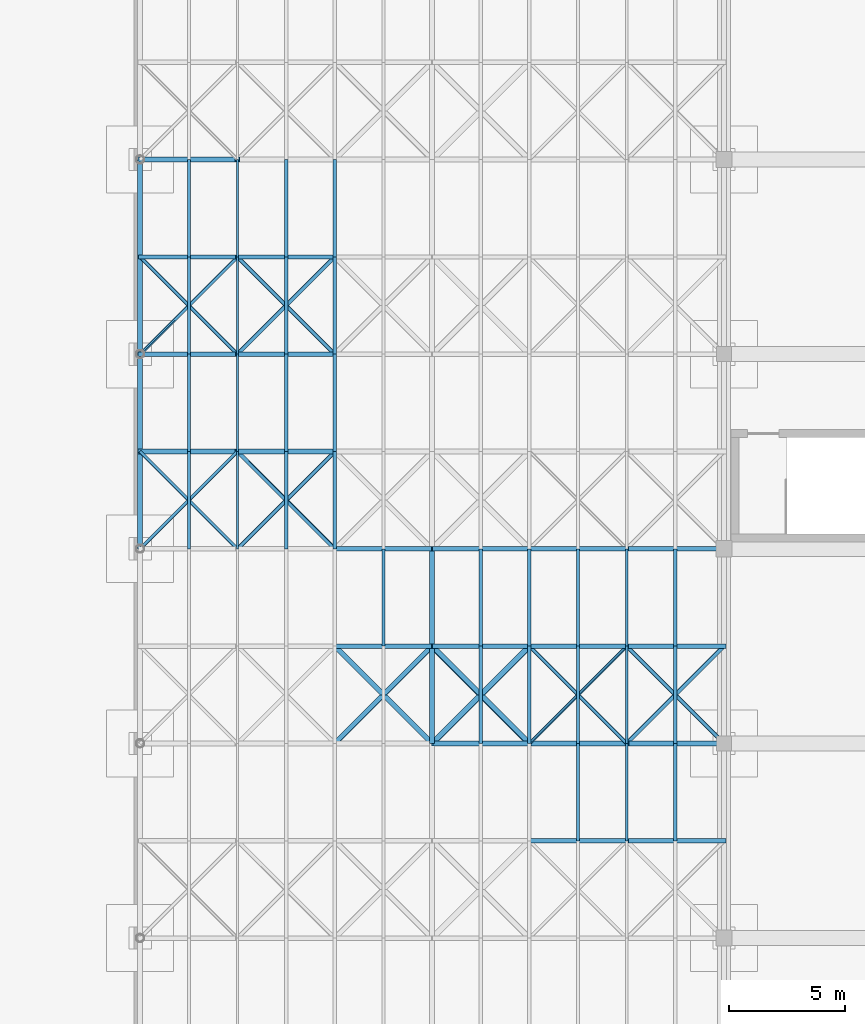
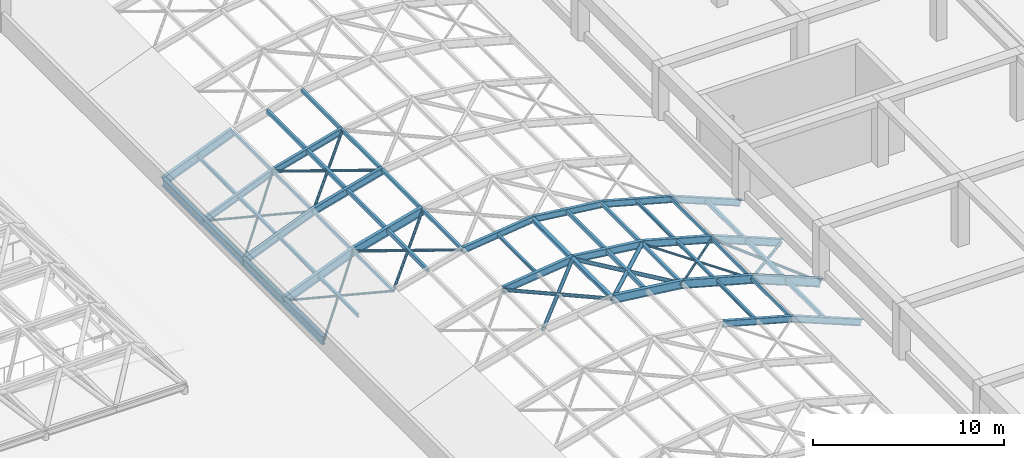
# One storey, part 21 of 85: 68 members, 2 beams.
"""IFC4 building model written with IfcOpenShell, lengths in metres."""

from ifc_helpers import new_model, si_unit, direction, frame, origin, origin_2d, place, context, subcontext, project, spatial, hollow_rectangle, hollow_circle, i_section, extrude, material, material_profile, profile_set, type_object, element, save


model = new_model("IFC4")

# Units and contexts
model_context = context("Model", 3, precision=1e-05, world=origin(), true_north=direction((0.0, 1.0)))
body_context = subcontext(model_context, "Body", "Model", "MODEL_VIEW")
ifc_project = project(units=[si_unit("LENGTHUNIT", "METRE"), si_unit("AREAUNIT", "SQUARE_METRE"), si_unit("VOLUMEUNIT", "CUBIC_METRE"), si_unit("PLANEANGLEUNIT", "RADIAN"), si_unit("MASSUNIT", "GRAM", prefix="KILO")], contexts=[model_context])

# Site, building, storey
site_placement = place(None, origin())
site = spatial("IfcSite", under=ifc_project, at=site_placement, CompositionType="ELEMENT")
building_placement = place(site_placement, origin())
building = spatial("IfcBuilding", under=site, at=building_placement, Name="Almacenes y Pasaje Nevantli", CompositionType="ELEMENT")
storey_placement = place(building_placement, frame((0.0, 0.0, 22.199951171875)))
storey = spatial("IfcBuildingStorey", under=building, at=storey_placement, Name="L05", CompositionType="ELEMENT", Elevation=22.199951171875)

# Beams
ifc_material_1 = material(Name="Steel ASTM A992", Category="steel")
ifc_material_profile_1 = material_profile(ifc_material_1, i_section(OverallWidth=0.208984375, OverallDepth=0.532958984375, WebThickness=0.01025390625, FlangeThickness=0.015625, at=origin_2d()), Name="IR 533x92.5")
ifc_profile_set_1 = profile_set([ifc_material_profile_1], Name="Steel ASTM A992")
beam_type = type_object("IfcBeamType", Name="BM-STL-IR-533x92p5", PredefinedType="BEAM", material=ifc_profile_set_1)
beam_1_placement = place(storey_placement, frame((67.199951171875, 42.0, 0.400146484375), z_axis=(0.0, 1.0, 0.0), x_axis=(-1.0, 0.0, 0.0)))
element("IfcBeam", 1, at=beam_1_placement, inside=storey, type_object=beam_type, Name="L05 Arcade Barrel Vault Eave Steel Girder #1.6", PredefinedType="BEAM", context=body_context, shape_type="SweptSolid", body=[
    extrude(i_section(OverallWidth=0.208984375, OverallDepth=0.532958984375, WebThickness=0.01025390625, FlangeThickness=0.015625, at=origin_2d()), origin(), (0.0, 0.0, 1.0), 8.39990234375),
])
beam_2_placement = place(storey_placement, frame((67.199951171875, 50.39990234375, 0.400146484375), z_axis=(0.0, 1.0, 0.0), x_axis=(-1.0, 0.0, 0.0)))
element("IfcBeam", 2, at=beam_2_placement, inside=storey, type_object=beam_type, Name="L05 Arcade Barrel Vault Eave Steel Girder #1.7", PredefinedType="BEAM", context=body_context, shape_type="SweptSolid", body=[
    extrude(i_section(OverallWidth=0.208984375, OverallDepth=0.532958984375, WebThickness=0.01025390625, FlangeThickness=0.015625, at=origin_2d()), origin(), (0.0, 0.0, 1.0), 8.400146484375),
])

# Members
ifc_material_2 = material(Name="Steel ASTM A992", Category="steel")
ifc_material_profile_2 = material_profile(ifc_material_2, i_section(OverallWidth=0.180908203125, OverallDepth=0.406005859375, WebThickness=0.010986328125, FlangeThickness=0.018310546875, at=origin_2d()), Name="IR 406x85.0")
ifc_profile_set_2 = profile_set([ifc_material_profile_2], Name="Steel ASTM A992")
member_type_1 = type_object("IfcMemberType", Name="MBR-ARCH-IR406x85", PredefinedType="USERDEFINED", material=ifc_profile_set_2)
member_1_placement = place(storey_placement, frame((84.0, 29.39990234375, 3.25), z_axis=(0.964503290046, 0.0, -0.264070830443), x_axis=(0.0, 1.0, 0.0)))
element("IfcMember", 3, at=member_1_placement, inside=storey, type_object=member_type_1, Name="Arcade Barrel Vault Steel Arch Rib 8.5", ObjectType="ARCH RIB", PredefinedType="USERDEFINED", context=body_context, shape_type="SweptSolid", body=[
    extrude(i_section(OverallWidth=0.180908203125, OverallDepth=0.406005859375, WebThickness=0.010986328125, FlangeThickness=0.018310546875, at=origin_2d()), origin(), (0.0, 0.0, 1.0), 4.3544921875),
])
member_2_placement = place(storey_placement, frame((88.199951171875, 29.39990234375, 2.10009765625), z_axis=(0.926949044115, 0.0, -0.375187246072), x_axis=(0.0, 1.0, 0.0)))
element("IfcMember", 4, at=member_2_placement, inside=storey, type_object=member_type_1, Name="Arcade Barrel Vault Steel Arch Rib 8.6", ObjectType="ARCH RIB", PredefinedType="USERDEFINED", context=body_context, shape_type="SweptSolid", body=[
    extrude(i_section(OverallWidth=0.180908203125, OverallDepth=0.406005859375, WebThickness=0.010986328125, FlangeThickness=0.018310546875, at=origin_2d()), origin(), (0.0, 0.0, 1.0), 4.531005859375),
])
for number, where, z_axis, x_axis, name in (
    (5, (75.60009765625, 42.0, 3.25), (0.99298811287, 0.0, 0.118214244908), (0.0, 1.0, 0.0), "Arcade Barrel Vault Steel Arch Rib 11.3"),
    (6, (79.800048828125, 42.0, 3.75), (0.99298811287, 0.0, -0.118214244908), (0.0, 1.0, 0.0), "Arcade Barrel Vault Steel Arch Rib 11.4"),
):
    element("IfcMember", number, at=place(storey_placement, frame(where, z_axis=z_axis, x_axis=x_axis)), inside=storey, type_object=member_type_1, Name=name, ObjectType="ARCH RIB", PredefinedType="USERDEFINED", context=body_context, shape_type="SweptSolid", body=[
        extrude(i_section(OverallWidth=0.180908203125, OverallDepth=0.406005859375, WebThickness=0.010986328125, FlangeThickness=0.018310546875, at=origin_2d()), origin(), (0.0, 0.0, 1.0), 4.2294921875),
    ])
member_3_placement = place(storey_placement, frame((84.0, 42.0, 3.25), z_axis=(0.964503290046, 0.0, -0.264070830443), x_axis=(0.0, 1.0, 0.0)))
element("IfcMember", 7, at=member_3_placement, inside=storey, type_object=member_type_1, Name="Arcade Barrel Vault Steel Arch Rib 11.5", ObjectType="ARCH RIB", PredefinedType="USERDEFINED", context=body_context, shape_type="SweptSolid", body=[
    extrude(i_section(OverallWidth=0.180908203125, OverallDepth=0.406005859375, WebThickness=0.010986328125, FlangeThickness=0.018310546875, at=origin_2d()), origin(), (0.0, 0.0, 1.0), 4.3544921875),
])
for number, where, z_axis, x_axis, name in (
    (8, (88.199951171875, 42.0, 2.10009765625), (0.926949044115, 0.0, -0.375187246072), (0.0, 1.0, 0.0), "Arcade Barrel Vault Steel Arch Rib 11.6"),
    (9, (67.199951171875, 54.60009765625, 0.400146484375), (0.926949044115, 0.0, 0.375187246072), (0.0, 1.0, 0.0), "Arcade Barrel Vault Steel Arch Rib 14.1"),
):
    element("IfcMember", number, at=place(storey_placement, frame(where, z_axis=z_axis, x_axis=x_axis)), inside=storey, type_object=member_type_1, Name=name, ObjectType="ARCH RIB", PredefinedType="USERDEFINED", context=body_context, shape_type="SweptSolid", body=[
        extrude(i_section(OverallWidth=0.180908203125, OverallDepth=0.406005859375, WebThickness=0.010986328125, FlangeThickness=0.018310546875, at=origin_2d()), origin(), (0.0, 0.0, 1.0), 4.531005859375),
    ])
member_4_placement = place(storey_placement, frame((71.39990234375, 54.60009765625, 2.10009765625), z_axis=(0.964507199401, 0.0, 0.264056551336), x_axis=(0.0, 1.0, 0.0)))
element("IfcMember", 10, at=member_4_placement, inside=storey, type_object=member_type_1, Name="Arcade Barrel Vault Steel Arch Rib 14.2", ObjectType="ARCH RIB", PredefinedType="USERDEFINED", context=body_context, shape_type="SweptSolid", body=[
    extrude(i_section(OverallWidth=0.180908203125, OverallDepth=0.406005859375, WebThickness=0.010986328125, FlangeThickness=0.018310546875, at=origin_2d()), origin(), (0.0, 0.0, 1.0), 4.354736328125),
])
ifc_material_3 = material(Name="Steel ASTM A992", Category="steel")
ifc_material_profile_3 = material_profile(ifc_material_3, i_section(OverallWidth=0.193115234375, OverallDepth=0.4599609375, WebThickness=0.011474609375, FlangeThickness=0.01904296875, at=origin_2d()), Name="IR 457x96.7")
ifc_profile_set_3 = profile_set([ifc_material_profile_3], Name="Steel ASTM A992")
member_type_2 = type_object("IfcMemberType", Name="MBR-ARCH-IR457x96", PredefinedType="USERDEFINED", material=ifc_profile_set_3)
for number, where, z_axis, x_axis, name in (
    (11, (75.60009765625, 37.800048828125, 3.25), (0.99298811287, 0.0, 0.118214244908), (0.0, 1.0, 0.0), "Arcade Barrel Vault Steel Arch Rib 10.3"),
    (12, (79.800048828125, 37.800048828125, 3.75), (0.99298811287, 0.0, -0.118214244908), (0.0, 1.0, 0.0), "Arcade Barrel Vault Steel Arch Rib 10.4"),
):
    element("IfcMember", number, at=place(storey_placement, frame(where, z_axis=z_axis, x_axis=x_axis)), inside=storey, type_object=member_type_2, Name=name, ObjectType="ARCH RIB", PredefinedType="USERDEFINED", context=body_context, shape_type="SweptSolid", body=[
        extrude(i_section(OverallWidth=0.193115234375, OverallDepth=0.4599609375, WebThickness=0.011474609375, FlangeThickness=0.01904296875, at=origin_2d()), origin(), (0.0, 0.0, 1.0), 4.2294921875),
    ])
member_5_placement = place(storey_placement, frame((84.0, 37.800048828125, 3.25), z_axis=(0.964503290046, 0.0, -0.264070830443), x_axis=(0.0, 1.0, 0.0)))
element("IfcMember", 13, at=member_5_placement, inside=storey, type_object=member_type_2, Name="Arcade Barrel Vault Steel Arch Rib 10.5", ObjectType="ARCH RIB", PredefinedType="USERDEFINED", context=body_context, shape_type="SweptSolid", body=[
    extrude(i_section(OverallWidth=0.193115234375, OverallDepth=0.4599609375, WebThickness=0.011474609375, FlangeThickness=0.01904296875, at=origin_2d()), origin(), (0.0, 0.0, 1.0), 4.3544921875),
])
for number, where, z_axis, x_axis, name in (
    (14, (88.199951171875, 37.800048828125, 2.10009765625), (0.926949044115, 0.0, -0.375187246072), (0.0, 1.0, 0.0), "Arcade Barrel Vault Steel Arch Rib 10.6"),
    (15, (67.199951171875, 50.39990234375, 0.400146484375), (0.926949044115, 0.0, 0.375187246072), (0.0, 1.0, 0.0), "Arcade Barrel Vault Steel Arch Rib 13.1"),
):
    element("IfcMember", number, at=place(storey_placement, frame(where, z_axis=z_axis, x_axis=x_axis)), inside=storey, type_object=member_type_2, Name=name, ObjectType="ARCH RIB", PredefinedType="USERDEFINED", context=body_context, shape_type="SweptSolid", body=[
        extrude(i_section(OverallWidth=0.193115234375, OverallDepth=0.4599609375, WebThickness=0.011474609375, FlangeThickness=0.01904296875, at=origin_2d()), origin(), (0.0, 0.0, 1.0), 4.531005859375),
    ])
member_6_placement = place(storey_placement, frame((71.39990234375, 50.39990234375, 2.10009765625), z_axis=(0.964507199401, 0.0, 0.264056551336), x_axis=(0.0, 1.0, 0.0)))
element("IfcMember", 16, at=member_6_placement, inside=storey, type_object=member_type_2, Name="Arcade Barrel Vault Steel Arch Rib 13.2", ObjectType="ARCH RIB", PredefinedType="USERDEFINED", context=body_context, shape_type="SweptSolid", body=[
    extrude(i_section(OverallWidth=0.193115234375, OverallDepth=0.4599609375, WebThickness=0.011474609375, FlangeThickness=0.01904296875, at=origin_2d()), origin(), (0.0, 0.0, 1.0), 4.354736328125),
])
ifc_material_4 = material(Name="Steel ASTM A992", Category="steel")
ifc_material_profile_4 = material_profile(ifc_material_4, i_section(OverallWidth=0.208984375, OverallDepth=0.532958984375, WebThickness=0.01025390625, FlangeThickness=0.015625, at=origin_2d()), Name="IR 533x92.5")
ifc_profile_set_4 = profile_set([ifc_material_profile_4], Name="Steel ASTM A992")
member_type_3 = type_object("IfcMemberType", Name="MBR-ARCH-IR533x92", PredefinedType="USERDEFINED", material=ifc_profile_set_4)
member_7_placement = place(storey_placement, frame((79.800048828125, 33.60009765625, 3.75), z_axis=(0.99298811287, 0.0, -0.118214244908), x_axis=(0.0, 1.0, 0.0)))
element("IfcMember", 17, at=member_7_placement, inside=storey, type_object=member_type_3, Name="Arcade Barrel Vault Steel Arch Rib 9.4", ObjectType="ARCH RIB", PredefinedType="USERDEFINED", context=body_context, shape_type="SweptSolid", body=[
    extrude(i_section(OverallWidth=0.208984375, OverallDepth=0.532958984375, WebThickness=0.01025390625, FlangeThickness=0.015625, at=origin_2d()), origin(), (0.0, 0.0, 1.0), 4.2294921875),
])
member_8_placement = place(storey_placement, frame((84.0, 33.60009765625, 3.25), z_axis=(0.964503290046, 0.0, -0.264070830443), x_axis=(0.0, 1.0, 0.0)))
element("IfcMember", 18, at=member_8_placement, inside=storey, type_object=member_type_3, Name="Arcade Barrel Vault Steel Arch Rib 9.5", ObjectType="ARCH RIB", PredefinedType="USERDEFINED", context=body_context, shape_type="SweptSolid", body=[
    extrude(i_section(OverallWidth=0.208984375, OverallDepth=0.532958984375, WebThickness=0.01025390625, FlangeThickness=0.015625, at=origin_2d()), origin(), (0.0, 0.0, 1.0), 4.3544921875),
])
for number, where, z_axis, x_axis, name in (
    (19, (88.199951171875, 33.60009765625, 2.10009765625), (0.926949044115, 0.0, -0.375187246072), (0.0, 1.0, 0.0), "Arcade Barrel Vault Steel Arch Rib 9.6"),
    (20, (67.199951171875, 46.199951171875, 0.400146484375), (0.926949044115, 0.0, 0.375187246072), (0.0, 1.0, 0.0), "Arcade Barrel Vault Steel Arch Rib 12.1"),
):
    element("IfcMember", number, at=place(storey_placement, frame(where, z_axis=z_axis, x_axis=x_axis)), inside=storey, type_object=member_type_3, Name=name, ObjectType="ARCH RIB", PredefinedType="USERDEFINED", context=body_context, shape_type="SweptSolid", body=[
        extrude(i_section(OverallWidth=0.208984375, OverallDepth=0.532958984375, WebThickness=0.01025390625, FlangeThickness=0.015625, at=origin_2d()), origin(), (0.0, 0.0, 1.0), 4.531005859375),
    ])
member_9_placement = place(storey_placement, frame((71.39990234375, 46.199951171875, 2.10009765625), z_axis=(0.964507199401, 0.0, 0.264056551336), x_axis=(0.0, 1.0, 0.0)))
element("IfcMember", 21, at=member_9_placement, inside=storey, type_object=member_type_3, Name="Arcade Barrel Vault Steel Arch Rib 12.2", ObjectType="ARCH RIB", PredefinedType="USERDEFINED", context=body_context, shape_type="SweptSolid", body=[
    extrude(i_section(OverallWidth=0.208984375, OverallDepth=0.532958984375, WebThickness=0.01025390625, FlangeThickness=0.015625, at=origin_2d()), origin(), (0.0, 0.0, 1.0), 4.354736328125),
])
member_10_placement = place(storey_placement, frame((67.199951171875, 58.800048828125, 0.400146484375), z_axis=(0.926949044115, 0.0, 0.375187246072), x_axis=(0.0, 1.0, 0.0)))
element("IfcMember", 22, at=member_10_placement, inside=storey, type_object=member_type_3, Name="Arcade Barrel Vault Steel Arch Rib 15.1", ObjectType="ARCH RIB", PredefinedType="USERDEFINED", context=body_context, shape_type="SweptSolid", body=[
    extrude(i_section(OverallWidth=0.208984375, OverallDepth=0.532958984375, WebThickness=0.01025390625, FlangeThickness=0.015625, at=origin_2d()), origin(), (0.0, 0.0, 1.0), 4.531005859375),
])
ifc_material_5 = material(Name="Steel ASTM A500 Grade C", Category="steel")
ifc_material_profile_5 = material_profile(ifc_material_5, hollow_circle(Radius=0.070556640625, WallThickness=0.006591796875, at=origin_2d()), Name="OC 141x6.6")
ifc_profile_set_5 = profile_set([ifc_material_profile_5], Name="Steel ASTM A500 Grade C")
member_type_4 = type_object("IfcMemberType", Name="MBR-BRC-OC141", PredefinedType="BRACE", material=ifc_profile_set_5)
for number, where, z_axis, x_axis, name in (
    (23, (84.0, 33.60009765625, 3.25), (0.694216714393, 0.694216714393, -0.190069216113), (-0.707106781187, 0.707106781187, 0.0), "Arcade Barrel Vault Wind Brace 9.5A"),
    (24, (88.199951171875, 33.60009765625, 2.10009765625), (-0.694216714393, 0.694216714393, 0.190069216113), (-0.707106781187, -0.707106781187, 0.0), "Arcade Barrel Vault Wind Brace 9.5B"),
):
    element("IfcMember", number, at=place(storey_placement, frame(where, z_axis=z_axis, x_axis=x_axis)), inside=storey, type_object=member_type_4, Name=name, PredefinedType="BRACE", context=body_context, shape_type="SweptSolid", body=[
        extrude(hollow_circle(Radius=0.070556640625, WallThickness=0.006591796875, at=origin_2d()), origin(), (0.0, 0.0, 1.0), 6.0498046875),
    ])
for number, where, z_axis, x_axis, name in (
    (25, (67.199951171875, 42.0, 0.400146484375), (0.679811915702, 0.679811915702, 0.275157261468), (-0.707106781187, 0.707106781187, 0.0), "Arcade Barrel Vault Wind Brace 11.1A"),
    (26, (71.39990234375, 42.0, 2.10009765625), (-0.679811915702, 0.679811915702, -0.275157261468), (-0.707106781187, -0.707106781187, 0.0), "Arcade Barrel Vault Wind Brace 11.1B"),
    (27, (67.199951171875, 50.39990234375, 0.400146484375), (0.679793653327, 0.679833169322, 0.275149869681), (-0.707127332136, 0.70708622964, 0.0), "Arcade Barrel Vault Wind Brace 13.1A"),
    (28, (71.39990234375, 50.39990234375, 2.10009765625), (-0.679793653327, 0.679833169322, -0.275149869681), (-0.707127332136, -0.70708622964, 0.0), "Arcade Barrel Vault Wind Brace 13.1B"),
):
    element("IfcMember", number, at=place(storey_placement, frame(where, z_axis=z_axis, x_axis=x_axis)), inside=storey, type_object=member_type_4, Name=name, PredefinedType="BRACE", context=body_context, shape_type="SweptSolid", body=[
        extrude(hollow_circle(Radius=0.070556640625, WallThickness=0.006591796875, at=origin_2d()), origin(), (0.0, 0.0, 1.0), 6.17822265625),
    ])
ifc_material_6 = material(Name="Steel ASTM A500 Grade C", Category="steel")
ifc_material_profile_6 = material_profile(ifc_material_6, hollow_circle(Radius=0.084228515625, WallThickness=0.007080078125, at=origin_2d()), Name="OC 168x7.1")
ifc_profile_set_6 = profile_set([ifc_material_profile_6], Name="Steel ASTM A500 Grade C")
member_type_5 = type_object("IfcMemberType", Name="MBR-BRC-OC168", PredefinedType="BRACE", material=ifc_profile_set_6)
for number, where, z_axis, x_axis, name in (
    (29, (88.199951171875, 33.60009765625, 2.10009765625), (0.679811915702, 0.679811915702, -0.275157261468), (-0.707106781187, 0.707106781187, 0.0), "Arcade Barrel Vault Wind Brace 9.6A"),
    (30, (92.39990234375, 33.60009765625, 0.400146484375), (-0.679811915702, 0.679811915702, 0.275157261468), (-0.707106781187, -0.707106781187, 0.0), "Arcade Barrel Vault Wind Brace 9.6B"),
):
    element("IfcMember", number, at=place(storey_placement, frame(where, z_axis=z_axis, x_axis=x_axis)), inside=storey, type_object=member_type_5, Name=name, PredefinedType="BRACE", context=body_context, shape_type="SweptSolid", body=[
        extrude(hollow_circle(Radius=0.084228515625, WallThickness=0.007080078125, at=origin_2d()), origin(), (0.0, 0.0, 1.0), 6.17822265625),
    ])
for number, where, z_axis, x_axis, name in (
    (31, (71.39990234375, 42.0, 2.10009765625), (0.694237619642, 0.694197266374, 0.19006389145), (-0.70708622964, 0.707127332136, 0.0), "Arcade Barrel Vault Wind Brace 11.2A"),
    (32, (75.60009765625, 42.0, 3.25), (-0.694237619642, 0.694197266374, -0.19006389145), (-0.70708622964, -0.707127332136, 0.0), "Arcade Barrel Vault Wind Brace 11.2B"),
):
    element("IfcMember", number, at=place(storey_placement, frame(where, z_axis=z_axis, x_axis=x_axis)), inside=storey, type_object=member_type_5, Name=name, PredefinedType="BRACE", context=body_context, shape_type="SweptSolid", body=[
        extrude(hollow_circle(Radius=0.084228515625, WallThickness=0.007080078125, at=origin_2d()), origin(), (0.0, 0.0, 1.0), 6.050048828125),
    ])
for number, where, z_axis, x_axis, name in (
    (33, (71.39990234375, 50.39990234375, 2.10009765625), (0.694218172126, 0.694218172126, 0.190058567235), (-0.707106781187, 0.707106781187, 0.0), "Arcade Barrel Vault Wind Brace 13.2A"),
    (34, (75.60009765625, 50.39990234375, 3.25), (-0.694218172126, 0.694218172126, -0.190058567235), (-0.707106781187, -0.707106781187, 0.0), "Arcade Barrel Vault Wind Brace 13.2B"),
):
    element("IfcMember", number, at=place(storey_placement, frame(where, z_axis=z_axis, x_axis=x_axis)), inside=storey, type_object=member_type_5, Name=name, PredefinedType="BRACE", context=body_context, shape_type="SweptSolid", body=[
        extrude(hollow_circle(Radius=0.084228515625, WallThickness=0.007080078125, at=origin_2d()), origin(), (0.0, 0.0, 1.0), 6.05029296875),
    ])
ifc_material_7 = material(Name="Steel ASTM A500 Grade C", Category="steel")
ifc_material_profile_7 = material_profile(ifc_material_7, hollow_circle(Radius=0.109619140625, WallThickness=0.00830078125, at=origin_2d()), Name="OC 219x8.2")
ifc_profile_set_7 = profile_set([ifc_material_profile_7], Name="Steel ASTM A500 Grade C")
member_type_6 = type_object("IfcMemberType", Name="MBR-BRC-OC219", PredefinedType="BRACE", material=ifc_profile_set_7)
for number, where, z_axis, x_axis, name in (
    (35, (75.60009765625, 33.60009765625, 3.25), (0.70461462169, 0.70461462169, 0.083883668268), (-0.707106781187, 0.707106781187, 0.0), "Arcade Barrel Vault Wind Brace 9.3A"),
    (36, (79.800048828125, 33.60009765625, 3.75), (-0.70461462169, 0.70461462169, -0.083883668268), (-0.707106781187, -0.707106781187, 0.0), "Arcade Barrel Vault Wind Brace 9.3B"),
):
    element("IfcMember", number, at=place(storey_placement, frame(where, z_axis=z_axis, x_axis=x_axis)), inside=storey, type_object=member_type_6, Name=name, PredefinedType="BRACE", context=body_context, shape_type="SweptSolid", body=[
        extrude(hollow_circle(Radius=0.109619140625, WallThickness=0.00830078125, at=origin_2d()), origin(), (0.0, 0.0, 1.0), 5.960693359375),
    ])
ifc_material_8 = material(Name="Steel ASTM A500 Grade C", Category="steel")
ifc_material_profile_8 = material_profile(ifc_material_8, hollow_circle(Radius=0.122314453125, WallThickness=0.0087890625, at=origin_2d()), Name="OC 244x8.9")
ifc_profile_set_8 = profile_set([ifc_material_profile_8], Name="Steel ASTM A500 Grade C")
member_type_7 = type_object("IfcMemberType", Name="MBR-BRC-OC244", PredefinedType="BRACE", material=ifc_profile_set_8)
for number, where, z_axis, x_axis, name in (
    (37, (79.800048828125, 33.60009765625, 3.75), (0.70461462169, 0.70461462169, -0.083883668268), (-0.707106781187, 0.707106781187, 0.0), "Arcade Barrel Vault Wind Brace 9.4A"),
    (38, (84.0, 33.60009765625, 3.25), (-0.70461462169, 0.70461462169, 0.083883668268), (-0.707106781187, -0.707106781187, 0.0), "Arcade Barrel Vault Wind Brace 9.4B"),
):
    element("IfcMember", number, at=place(storey_placement, frame(where, z_axis=z_axis, x_axis=x_axis)), inside=storey, type_object=member_type_7, Name=name, PredefinedType="BRACE", context=body_context, shape_type="SweptSolid", body=[
        extrude(hollow_circle(Radius=0.122314453125, WallThickness=0.0087890625, at=origin_2d()), origin(), (0.0, 0.0, 1.0), 5.960693359375),
    ])
ifc_material_9 = material(Name="Steel ASTM A992", Category="steel")
ifc_material_profile_9 = material_profile(ifc_material_9, i_section(OverallWidth=0.134033203125, OverallDepth=0.2099609375, WebThickness=0.00634765625, FlangeThickness=0.01025390625, at=origin_2d()), Name="IR 203x31.3")
ifc_profile_set_9 = profile_set([ifc_material_profile_9], Name="Steel ASTM A992")
member_type_8 = type_object("IfcMemberType", Name="MBR-PUR-IR203x31", PredefinedType="PURLIN", material=ifc_profile_set_9)
member_11_placement = place(storey_placement, frame((86.10009765625, 29.39990234375, 2.675048828125), z_axis=(0.0, 1.0, 0.0), x_axis=(-1.0, 0.0, 0.0)))
element("IfcMember", 39, at=member_11_placement, inside=storey, type_object=member_type_8, Name="Arcade Barrel Vault Secondary Steel Purlin #87", PredefinedType="PURLIN", context=body_context, shape_type="SweptSolid", body=[
    extrude(i_section(OverallWidth=0.134033203125, OverallDepth=0.2099609375, WebThickness=0.00634765625, FlangeThickness=0.01025390625, at=origin_2d()), origin(), (0.0, 0.0, 1.0), 4.2001953125),
])
for number, where, z_axis, x_axis, name in (
    (40, (86.10009765625, 33.60009765625, 2.675048828125), (0.0, 1.0, 0.0), (-1.0, 0.0, 0.0), "Arcade Barrel Vault Secondary Steel Purlin #98"),
    (41, (77.699951171875, 37.800048828125, 3.5), (0.0, 1.0, 0.0), (-1.0, 0.0, 0.0), "Arcade Barrel Vault Secondary Steel Purlin #107"),
    (42, (86.10009765625, 37.800048828125, 2.675048828125), (0.0, 1.0, 0.0), (-1.0, 0.0, 0.0), "Arcade Barrel Vault Secondary Steel Purlin #109"),
    (43, (69.300048828125, 42.0, 1.25), (0.0, 1.0, 0.0), (-1.0, 0.0, 0.0), "Arcade Barrel Vault Secondary Steel Purlin #116"),
    (44, (69.300048828125, 46.199951171875, 1.25), (0.0, 1.0, 0.0), (-1.0, 0.0, 0.0), "Arcade Barrel Vault Secondary Steel Purlin #127"),
):
    element("IfcMember", number, at=place(storey_placement, frame(where, z_axis=z_axis, x_axis=x_axis)), inside=storey, type_object=member_type_8, Name=name, PredefinedType="PURLIN", context=body_context, shape_type="SweptSolid", body=[
        extrude(i_section(OverallWidth=0.134033203125, OverallDepth=0.2099609375, WebThickness=0.00634765625, FlangeThickness=0.01025390625, at=origin_2d()), origin(), (0.0, 0.0, 1.0), 4.199951171875),
    ])
member_12_placement = place(storey_placement, frame((69.300048828125, 50.39990234375, 1.25), z_axis=(0.0, 1.0, 0.0), x_axis=(-1.0, 0.0, 0.0)))
element("IfcMember", 45, at=member_12_placement, inside=storey, type_object=member_type_8, Name="Arcade Barrel Vault Secondary Steel Purlin #138", PredefinedType="PURLIN", context=body_context, shape_type="SweptSolid", body=[
    extrude(i_section(OverallWidth=0.134033203125, OverallDepth=0.2099609375, WebThickness=0.00634765625, FlangeThickness=0.01025390625, at=origin_2d()), origin(), (0.0, 0.0, 1.0), 4.2001953125),
])
member_13_placement = place(storey_placement, frame((69.300048828125, 54.60009765625, 1.25), z_axis=(0.0, 1.0, 0.0), x_axis=(-1.0, 0.0, 0.0)))
element("IfcMember", 46, at=member_13_placement, inside=storey, type_object=member_type_8, Name="Arcade Barrel Vault Secondary Steel Purlin #149", PredefinedType="PURLIN", context=body_context, shape_type="SweptSolid", body=[
    extrude(i_section(OverallWidth=0.134033203125, OverallDepth=0.2099609375, WebThickness=0.00634765625, FlangeThickness=0.01025390625, at=origin_2d()), origin(), (0.0, 0.0, 1.0), 4.199951171875),
])
ifc_material_10 = material(Name="Steel ASTM A992", Category="steel")
ifc_material_profile_10 = material_profile(ifc_material_10, i_section(OverallWidth=0.202880859375, OverallDepth=0.25390625, WebThickness=0.00732421875, FlangeThickness=0.010986328125, at=origin_2d()), Name="IR 254x49.1")
ifc_profile_set_10 = profile_set([ifc_material_profile_10], Name="Steel ASTM A992")
member_type_9 = type_object("IfcMemberType", Name="MBR-PUR-IR254x49", PredefinedType="PURLIN", material=ifc_profile_set_10)
for number, where, z_axis, x_axis, name in (
    (47, (79.800048828125, 33.60009765625, 3.75), (0.0, 1.0, 0.0), (-1.0, 0.0, 0.0), "Arcade Barrel Vault Steel Purlin #91"),
    (48, (79.800048828125, 37.800048828125, 3.75), (0.0, 1.0, 0.0), (-1.0, 0.0, 0.0), "Arcade Barrel Vault Steel Purlin #102"),
):
    element("IfcMember", number, at=place(storey_placement, frame(where, z_axis=z_axis, x_axis=x_axis)), inside=storey, type_object=member_type_9, Name=name, PredefinedType="PURLIN", context=body_context, shape_type="SweptSolid", body=[
        extrude(i_section(OverallWidth=0.202880859375, OverallDepth=0.25390625, WebThickness=0.00732421875, FlangeThickness=0.010986328125, at=origin_2d()), origin(), (0.0, 0.0, 1.0), 4.199951171875),
    ])
ifc_material_11 = material(Name="Steel ASTM A500 Grade C", Category="steel")
ifc_material_profile_11 = material_profile(ifc_material_11, hollow_rectangle(XDim=0.1015625, YDim=0.203125, WallThickness=0.0078125, at=origin_2d()), Name="OR 203x102x7.9")
ifc_profile_set_11 = profile_set([ifc_material_profile_11], Name="Steel ASTM A500 Grade C")
member_type_10 = type_object("IfcMemberType", Name="MBR-PUR-OR203x102", PredefinedType="PURLIN", material=ifc_profile_set_11)
member_14_placement = place(storey_placement, frame((88.199951171875, 29.39990234375, 2.10009765625), z_axis=(0.0, 1.0, 0.0), x_axis=(-1.0, 0.0, 0.0)))
element("IfcMember", 49, at=member_14_placement, inside=storey, type_object=member_type_10, Name="Arcade Barrel Vault Steel Purlin #82", PredefinedType="PURLIN", context=body_context, shape_type="SweptSolid", body=[
    extrude(hollow_rectangle(XDim=0.1015625, YDim=0.203125, WallThickness=0.0078125, at=origin_2d()), origin(), (0.0, 0.0, 1.0), 4.2001953125),
])
for number, where, z_axis, x_axis, name in (
    (50, (88.199951171875, 33.60009765625, 2.10009765625), (0.0, 1.0, 0.0), (-1.0, 0.0, 0.0), "Arcade Barrel Vault Steel Purlin #93"),
    (51, (88.199951171875, 37.800048828125, 2.10009765625), (0.0, 1.0, 0.0), (-1.0, 0.0, 0.0), "Arcade Barrel Vault Steel Purlin #104"),
    (52, (71.39990234375, 42.0, 2.10009765625), (0.0, 1.0, 0.0), (-1.0, 0.0, 0.0), "Arcade Barrel Vault Steel Purlin #111"),
    (53, (71.39990234375, 46.199951171875, 2.10009765625), (0.0, 1.0, 0.0), (-1.0, 0.0, 0.0), "Arcade Barrel Vault Steel Purlin #122"),
):
    element("IfcMember", number, at=place(storey_placement, frame(where, z_axis=z_axis, x_axis=x_axis)), inside=storey, type_object=member_type_10, Name=name, PredefinedType="PURLIN", context=body_context, shape_type="SweptSolid", body=[
        extrude(hollow_rectangle(XDim=0.1015625, YDim=0.203125, WallThickness=0.0078125, at=origin_2d()), origin(), (0.0, 0.0, 1.0), 4.199951171875),
    ])
member_15_placement = place(storey_placement, frame((71.39990234375, 50.39990234375, 2.10009765625), z_axis=(0.0, 1.0, 0.0), x_axis=(-1.0, 0.0, 0.0)))
element("IfcMember", 54, at=member_15_placement, inside=storey, type_object=member_type_10, Name="Arcade Barrel Vault Steel Purlin #133", PredefinedType="PURLIN", context=body_context, shape_type="SweptSolid", body=[
    extrude(hollow_rectangle(XDim=0.1015625, YDim=0.203125, WallThickness=0.0078125, at=origin_2d()), origin(), (0.0, 0.0, 1.0), 4.2001953125),
])
member_16_placement = place(storey_placement, frame((71.39990234375, 54.60009765625, 2.10009765625), z_axis=(0.0, 1.0, 0.0), x_axis=(-1.0, 0.0, 0.0)))
element("IfcMember", 55, at=member_16_placement, inside=storey, type_object=member_type_10, Name="Arcade Barrel Vault Steel Purlin #144", PredefinedType="PURLIN", context=body_context, shape_type="SweptSolid", body=[
    extrude(hollow_rectangle(XDim=0.1015625, YDim=0.203125, WallThickness=0.0078125, at=origin_2d()), origin(), (0.0, 0.0, 1.0), 4.199951171875),
])
ifc_material_12 = material(Name="Steel ASTM A500 Grade C", Category="steel")
ifc_material_profile_12 = material_profile(ifc_material_12, hollow_rectangle(XDim=0.15234375, YDim=0.203125, WallThickness=0.0078125, at=origin_2d()), Name="OR 203x152x7.9")
ifc_profile_set_12 = profile_set([ifc_material_profile_12], Name="Steel ASTM A500 Grade C")
member_type_11 = type_object("IfcMemberType", Name="MBR-PUR-OR203x152", PredefinedType="PURLIN", material=ifc_profile_set_12)
for number, where, z_axis, x_axis, name in (
    (56, (84.0, 33.60009765625, 3.25), (0.0, 1.0, 0.0), (-1.0, 0.0, 0.0), "Arcade Barrel Vault Steel Purlin #92"),
    (57, (84.0, 37.800048828125, 3.25), (0.0, 1.0, 0.0), (-1.0, 0.0, 0.0), "Arcade Barrel Vault Steel Purlin #103"),
    (58, (75.60009765625, 42.0, 3.25), (0.0, 1.0, 0.0), (-1.0, 0.0, 0.0), "Arcade Barrel Vault Steel Purlin #112"),
    (59, (75.60009765625, 46.199951171875, 3.25), (0.0, 1.0, 0.0), (-1.0, 0.0, 0.0), "Arcade Barrel Vault Steel Purlin #123"),
):
    element("IfcMember", number, at=place(storey_placement, frame(where, z_axis=z_axis, x_axis=x_axis)), inside=storey, type_object=member_type_11, Name=name, PredefinedType="PURLIN", context=body_context, shape_type="SweptSolid", body=[
        extrude(hollow_rectangle(XDim=0.15234375, YDim=0.203125, WallThickness=0.0078125, at=origin_2d()), origin(), (0.0, 0.0, 1.0), 4.199951171875),
    ])
member_17_placement = place(storey_placement, frame((75.60009765625, 50.39990234375, 3.25), z_axis=(0.0, 1.0, 0.0), x_axis=(-1.0, 0.0, 0.0)))
element("IfcMember", 60, at=member_17_placement, inside=storey, type_object=member_type_11, Name="Arcade Barrel Vault Steel Purlin #134", PredefinedType="PURLIN", context=body_context, shape_type="SweptSolid", body=[
    extrude(hollow_rectangle(XDim=0.15234375, YDim=0.203125, WallThickness=0.0078125, at=origin_2d()), origin(), (0.0, 0.0, 1.0), 4.2001953125),
])
member_18_placement = place(storey_placement, frame((75.60009765625, 54.60009765625, 3.25), z_axis=(0.0, 1.0, 0.0), x_axis=(-1.0, 0.0, 0.0)))
element("IfcMember", 61, at=member_18_placement, inside=storey, type_object=member_type_11, Name="Arcade Barrel Vault Steel Purlin #145", PredefinedType="PURLIN", context=body_context, shape_type="SweptSolid", body=[
    extrude(hollow_rectangle(XDim=0.15234375, YDim=0.203125, WallThickness=0.0078125, at=origin_2d()), origin(), (0.0, 0.0, 1.0), 4.199951171875),
])
ifc_material_13 = material(Name="Steel ASTM A500 Grade C", Category="steel")
ifc_material_profile_13 = material_profile(ifc_material_13, hollow_rectangle(XDim=0.15234375, YDim=0.25390625, WallThickness=0.009521484375, at=origin_2d()), Name="OR 254x152x9.5")
ifc_profile_set_13 = profile_set([ifc_material_profile_13], Name="Steel ASTM A500 Grade C")
member_type_12 = type_object("IfcMemberType", Name="MBR-PUR-OR254x152", PredefinedType="PURLIN", material=ifc_profile_set_13)
member_19_placement = place(storey_placement, frame((90.300048828125, 29.39990234375, 1.25), z_axis=(0.0, 1.0, 0.0), x_axis=(-1.0, 0.0, 0.0)))
element("IfcMember", 62, at=member_19_placement, inside=storey, type_object=member_type_12, Name="Arcade Barrel Vault Secondary Steel Purlin #88", PredefinedType="PURLIN", context=body_context, shape_type="SweptSolid", body=[
    extrude(hollow_rectangle(XDim=0.15234375, YDim=0.25390625, WallThickness=0.009521484375, at=origin_2d()), origin(), (0.0, 0.0, 1.0), 4.2001953125),
])
for number, where, z_axis, x_axis, name in (
    (63, (81.89990234375, 33.60009765625, 3.5), (0.0, 1.0, 0.0), (-1.0, 0.0, 0.0), "Arcade Barrel Vault Secondary Steel Purlin #97"),
    (64, (90.300048828125, 33.60009765625, 1.25), (0.0, 1.0, 0.0), (-1.0, 0.0, 0.0), "Arcade Barrel Vault Secondary Steel Purlin #99"),
    (65, (81.89990234375, 37.800048828125, 3.5), (0.0, 1.0, 0.0), (-1.0, 0.0, 0.0), "Arcade Barrel Vault Secondary Steel Purlin #108"),
    (66, (90.300048828125, 37.800048828125, 1.25), (0.0, 1.0, 0.0), (-1.0, 0.0, 0.0), "Arcade Barrel Vault Secondary Steel Purlin #110"),
    (67, (73.5, 42.0, 2.675048828125), (0.0, 1.0, 0.0), (-1.0, 0.0, 0.0), "Arcade Barrel Vault Secondary Steel Purlin #117"),
    (68, (73.5, 46.199951171875, 2.675048828125), (0.0, 1.0, 0.0), (-1.0, 0.0, 0.0), "Arcade Barrel Vault Secondary Steel Purlin #128"),
):
    element("IfcMember", number, at=place(storey_placement, frame(where, z_axis=z_axis, x_axis=x_axis)), inside=storey, type_object=member_type_12, Name=name, PredefinedType="PURLIN", context=body_context, shape_type="SweptSolid", body=[
        extrude(hollow_rectangle(XDim=0.15234375, YDim=0.25390625, WallThickness=0.009521484375, at=origin_2d()), origin(), (0.0, 0.0, 1.0), 4.199951171875),
    ])
member_20_placement = place(storey_placement, frame((73.5, 50.39990234375, 2.675048828125), z_axis=(0.0, 1.0, 0.0), x_axis=(-1.0, 0.0, 0.0)))
element("IfcMember", 69, at=member_20_placement, inside=storey, type_object=member_type_12, Name="Arcade Barrel Vault Secondary Steel Purlin #139", PredefinedType="PURLIN", context=body_context, shape_type="SweptSolid", body=[
    extrude(hollow_rectangle(XDim=0.15234375, YDim=0.25390625, WallThickness=0.009521484375, at=origin_2d()), origin(), (0.0, 0.0, 1.0), 4.2001953125),
])
member_21_placement = place(storey_placement, frame((73.5, 54.60009765625, 2.675048828125), z_axis=(0.0, 1.0, 0.0), x_axis=(-1.0, 0.0, 0.0)))
element("IfcMember", 70, at=member_21_placement, inside=storey, type_object=member_type_12, Name="Arcade Barrel Vault Secondary Steel Purlin #150", PredefinedType="PURLIN", context=body_context, shape_type="SweptSolid", body=[
    extrude(hollow_rectangle(XDim=0.15234375, YDim=0.25390625, WallThickness=0.009521484375, at=origin_2d()), origin(), (0.0, 0.0, 1.0), 4.199951171875),
])

save(model, "model.ifc")
